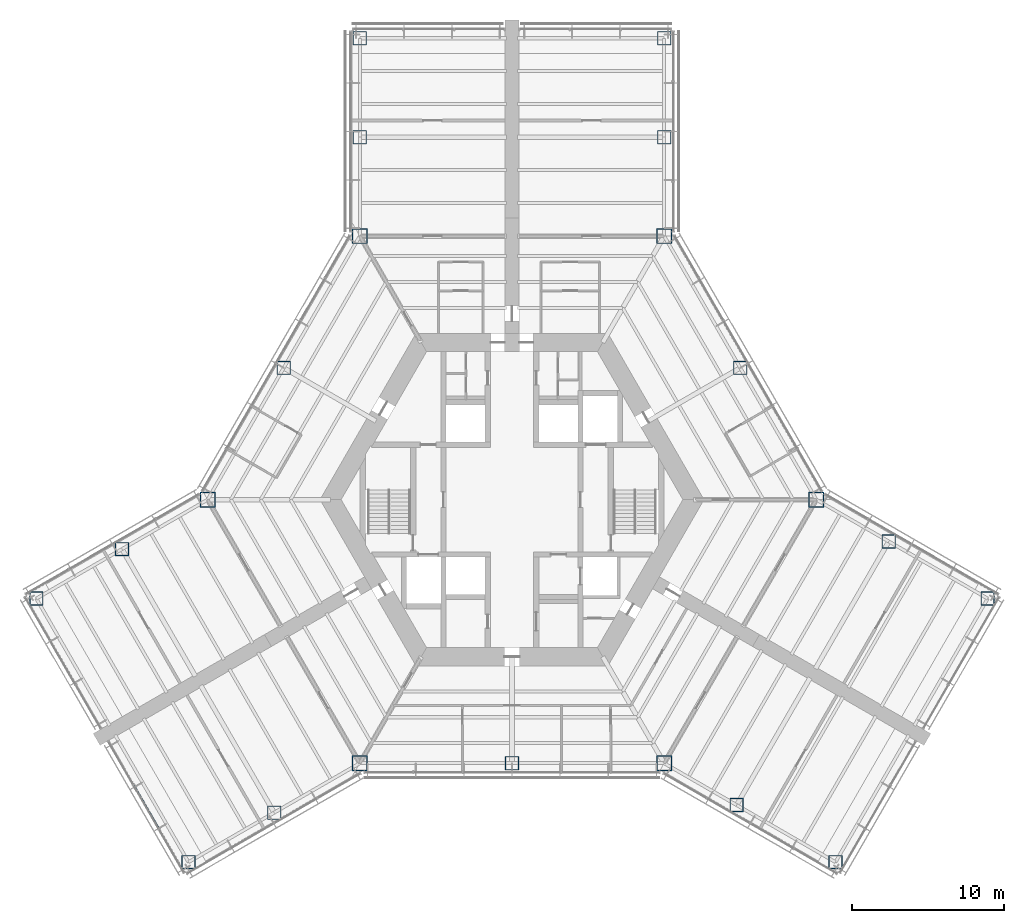
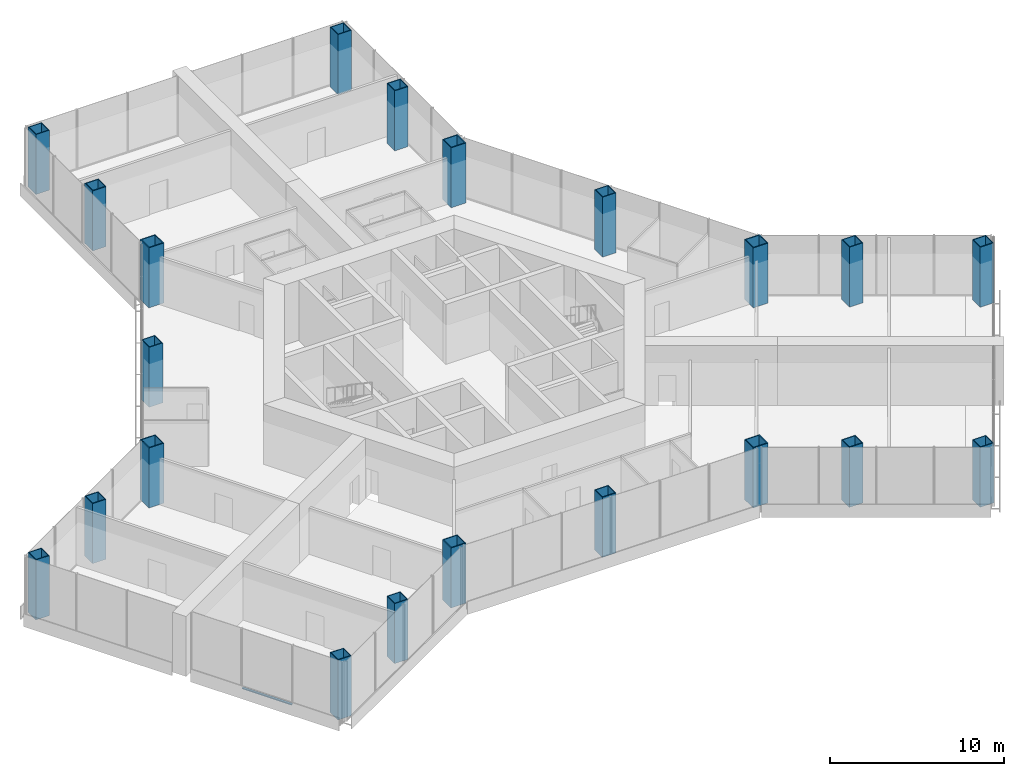
# One storey, part 1 of 16: 21 columns, 1 member, 1 element without a shape of its own.
"""IFC4 building model written with IfcOpenShell, lengths in metres."""

from ifc_helpers import new_model, si_unit, direction, frame, origin, origin_2d, place, context, subcontext, project, spatial, rectangle, hollow_rectangle, extrude, material, material_profile, profile_set, type_object, element, aggregate, save


model = new_model("IFC4")

# Units and contexts
model_context = context("Model", 3, precision=1e-05, world=origin(), true_north=direction((0.0, 1.0)))
body_context = subcontext(model_context, "Body", "Model", "MODEL_VIEW")
ifc_project = project(units=[si_unit("LENGTHUNIT", "METRE"), si_unit("AREAUNIT", "SQUARE_METRE"), si_unit("VOLUMEUNIT", "CUBIC_METRE"), si_unit("PLANEANGLEUNIT", "RADIAN"), si_unit("MASSUNIT", "GRAM", prefix="KILO")], contexts=[model_context])

# Site, building, storey
site_placement = place(None, origin())
site = spatial("IfcSite", under=ifc_project, at=site_placement, CompositionType="ELEMENT")
building_placement = place(site_placement, origin())
building = spatial("IfcBuilding", under=site, at=building_placement, Name="Kasaneha Research Tower", CompositionType="ELEMENT")
storey_placement = place(building_placement, frame((0.0, 0.0, 26.800048828125)))
storey = spatial("IfcBuildingStorey", under=building, at=storey_placement, Name="L07", CompositionType="ELEMENT", Elevation=26.800048828125)

# Columns
ifc_material_1 = material(Name="Steel SN490C", Category="steel")
ifc_material_profile_1 = material_profile(ifc_material_1, hollow_rectangle(XDim=1.0, YDim=1.0, WallThickness=0.06005859375, at=origin_2d()), Name="BOX-1000x1000x60")
ifc_profile_set_1 = profile_set([ifc_material_profile_1], Name="Steel SN490C")
column_type_1 = type_object("IfcColumnType", Name="C1A column BOX-1000x1000x60", PredefinedType="COLUMN", material=ifc_profile_set_1)
for number, where, z_axis, x_axis, name in (
    (1, (20.0, 0.0, 0.0), (0.0, 0.0, 1.0), (1.0, 0.0, 0.0), "Column V0 L07"),
    (2, (10.0, 17.320556640625, 0.0), (0.0, 0.0, 1.0), (1.0, 0.0, 0.0), "Column V1 L07"),
    (3, (-10.0, 17.320556640625, 0.0), (0.0, 0.0, 1.0), (1.0, 0.0, 0.0), "Column V2 L07"),
    (4, (-20.0, 0.0, 0.0), (0.0, 0.0, 1.0), (1.0, 0.0, 0.0), "Column V3 L07"),
    (5, (-10.0, -17.320556640625, 0.0), (0.0, 0.0, 1.0), (1.0, 0.0, 0.0), "Column V4 L07"),
    (6, (10.0, -17.320556640625, 0.0), (0.0, 0.0, 1.0), (1.0, 0.0, 0.0), "Column V5 L07"),
):
    element("IfcColumn", number, at=place(storey_placement, frame(where, z_axis=z_axis, x_axis=x_axis)), inside=storey, type_object=column_type_1, Name=name, PredefinedType="COLUMN", context=body_context, shape_type="SweptSolid", body=[
        extrude(hollow_rectangle(XDim=1.0, YDim=1.0, WallThickness=0.06005859375, at=origin_2d()), origin(), (0.0, 0.0, 1.0), 4.199951171875),
    ])
ifc_material_2 = material(Name="Steel SN490C", Category="steel")
ifc_material_profile_2 = material_profile(ifc_material_2, hollow_rectangle(XDim=0.89990234375, YDim=0.89990234375, WallThickness=0.050048828125, at=origin_2d()), Name="BOX-900x900x50")
ifc_profile_set_2 = profile_set([ifc_material_profile_2], Name="Steel SN490C")
column_type_2 = type_object("IfcColumnType", Name="C1B column BOX-900x900x50", PredefinedType="COLUMN", material=ifc_profile_set_2)
for number, where, z_axis, x_axis, name in (
    (7, (15.0, 8.66015625, 0.0), (0.0, 0.0, 1.0), (1.0, 0.0, 0.0), "Column M030 L07"),
    (8, (-15.0, 8.66015625, 0.0), (0.0, 0.0, 1.0), (1.0, 0.0, 0.0), "Column M150 L07"),
    (9, (0.0, -17.320556640625, 0.0), (0.0, 0.0, 1.0), (1.0, 0.0, 0.0), "Column M270 L07"),
    (10, (10.0, 23.820556640625, 0.0), (0.0, 0.0, 1.0), (1.0, 0.0, 0.0), "Column ASP L07"),
    (11, (10.0, 30.320556640625, 0.0), (0.0, 0.0, 1.0), (1.0, 0.0, 0.0), "Column ATP L07"),
    (12, (-10.0, 23.820556640625, 0.0), (0.0, 0.0, 1.0), (1.0, 0.0, 0.0), "Column ASN L07"),
    (13, (-10.0, 30.320556640625, 0.0), (0.0, 0.0, 1.0), (1.0, 0.0, 0.0), "Column ATN L07"),
    (14, (-25.629150390625, -3.25, 0.0), (0.0, 0.0, 1.0), (1.0, 0.0, 0.0), "Column BSP L07"),
    (15, (-31.25830078125, -6.5, 0.0), (0.0, 0.0, 1.0), (1.0, 0.0, 0.0), "Column BTP L07"),
    (16, (-15.629150390625, -20.570556640625, 0.0), (0.0, 0.0, 1.0), (1.0, 0.0, 0.0), "Column BSN L07"),
    (17, (-21.25830078125, -23.820556640625, 0.0), (0.0, 0.0, 1.0), (1.0, 0.0, 0.0), "Column BTN L07"),
    (18, (14.76318359375, -20.070556640625, 0.0), (0.0, 0.0, 1.0), (1.0, 0.0, 0.0), "Column CSP L07"),
    (19, (21.25830078125, -23.820556640625, 0.0), (0.0, 0.0, 1.0), (1.0, 0.0, 0.0), "Column CTP L07"),
    (20, (24.76318359375, -2.75, 0.0), (0.0, 0.0, 1.0), (1.0, 0.0, 0.0), "Column CSN L07"),
    (21, (31.25830078125, -6.5, 0.0), (0.0, 0.0, 1.0), (1.0, 0.0, 0.0), "Column CTN L07"),
):
    element("IfcColumn", number, at=place(storey_placement, frame(where, z_axis=z_axis, x_axis=x_axis)), inside=storey, type_object=column_type_2, Name=name, PredefinedType="COLUMN", context=body_context, shape_type="SweptSolid", body=[
        extrude(hollow_rectangle(XDim=0.89990234375, YDim=0.89990234375, WallThickness=0.050048828125, at=origin_2d()), origin(), (0.0, 0.0, 1.0), 4.199951171875),
    ])

# Curtain wall, member
ifc_material_3 = material(Name="Glass and aluminium", Category="aluminium")
curtain_wall_type = type_object("IfcCurtainWallType", Name="Wet laboratory curtain wall", PredefinedType="USERDEFINED", material=ifc_material_3)
curtain_wall_placement = place(storey_placement, origin())
curtain_wall = element("IfcCurtainWall", 22, at=curtain_wall_placement, inside=storey, type_object=curtain_wall_type, Name="CW-L1 L07 run 15a", ObjectType="UNITISED CURTAIN WALL", PredefinedType="USERDEFINED")
ifc_material_4 = material(Name="Aluminium 6063-T6", Category="aluminium")
ifc_material_profile_3 = material_profile(ifc_material_4, rectangle(XDim=0.139892578125, YDim=0.06494140625, at=origin_2d()), Name="CW-L1 transom 140x65")
ifc_profile_set_3 = profile_set([ifc_material_profile_3], Name="Aluminium 6063-T6")
member_type = type_object("IfcMemberType", Name="CW-L1 transom", PredefinedType="USERDEFINED", material=ifc_profile_set_3)
member_placement = place(storey_placement, frame((-24.86181640625, -18.779296875, 0.032470703125), z_axis=(0.50000765355, -0.86602098496, 0.0), x_axis=(0.86602098496, 0.50000765355, 0.0)))
member = element("IfcMember", 23, at=member_placement, type_object=member_type, Name="CW-L1 transom 2", ObjectType="TRANSOM", PredefinedType="USERDEFINED", context=body_context, shape_type="SweptSolid", body=[
    extrude(rectangle(XDim=0.139892578125, YDim=0.06494140625, at=origin_2d()), origin(), (0.0, 0.0, 1.0), 3.28515625),
])
aggregate(curtain_wall, [member])

save(model, "model.ifc")
